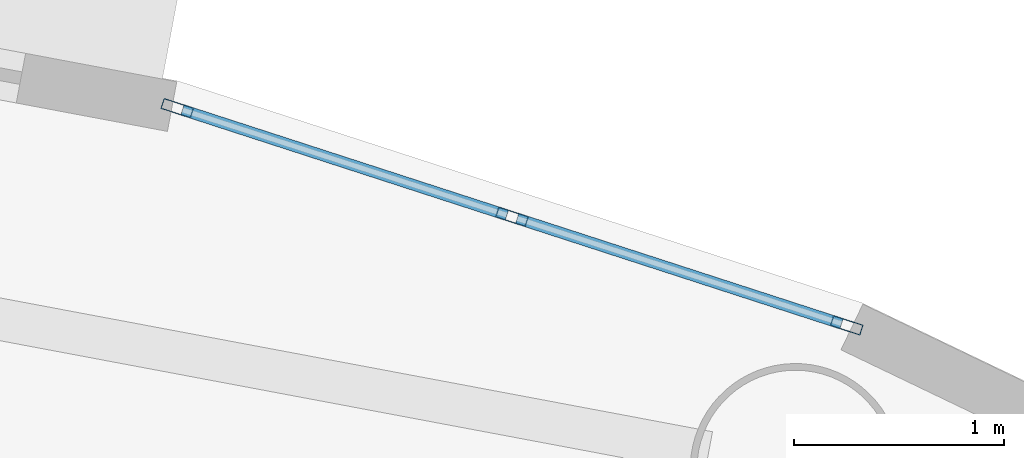
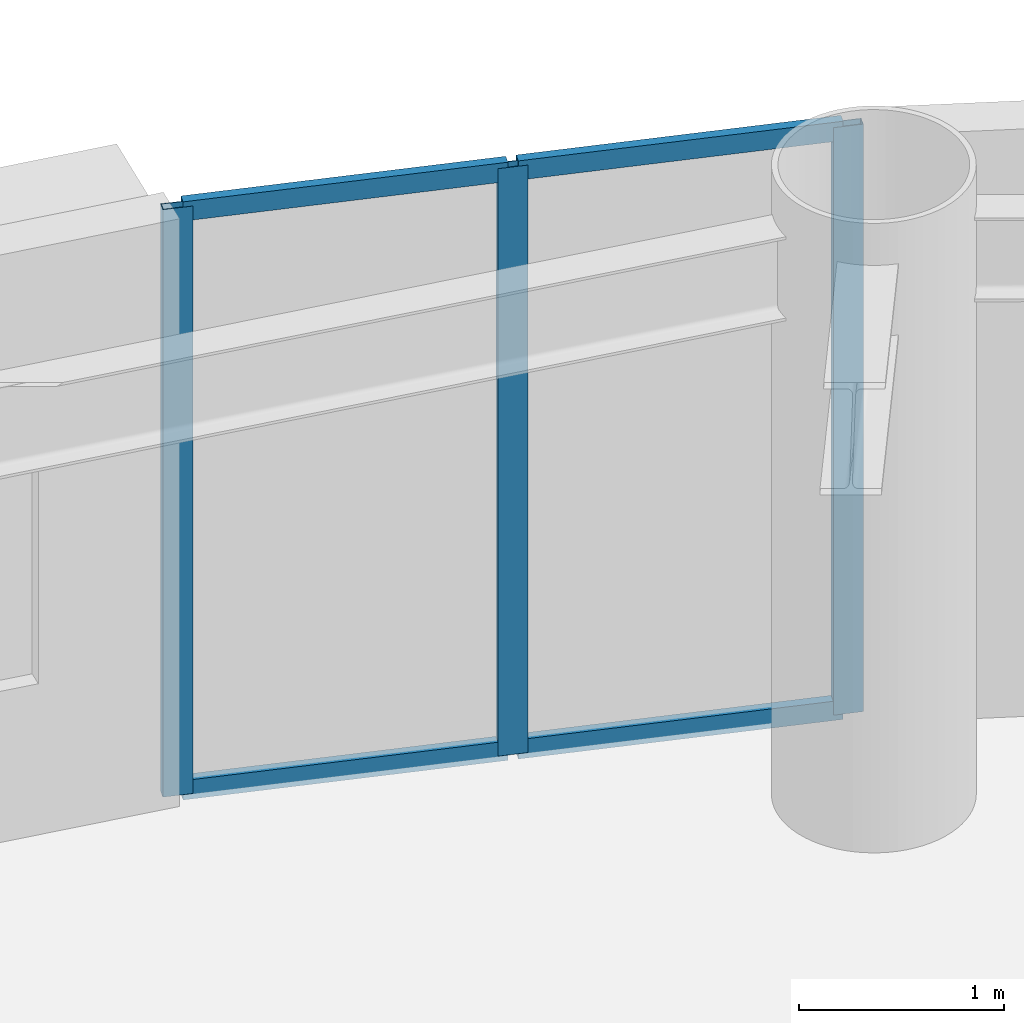
# One storey, part 4 of 17: 7 members, 1 element without a shape of its own.
"""IFC4 building model written with IfcOpenShell, lengths in metres."""

from ifc_helpers import new_model, si_unit, direction, frame, origin, origin_2d, place, context, subcontext, project, spatial, hollow_rectangle, extrude, source, transform, mapped, material, layer, layer_set, material_profile, profile_set, type_object, element, aggregate, save


model = new_model("IFC4")

# Units and contexts
model_context = context("Model", 3, precision=1e-05, world=origin(), true_north=direction((0.0, 1.0)))
body_context = subcontext(model_context, "Body", "Model", "MODEL_VIEW")
ifc_project = project(units=[si_unit("LENGTHUNIT", "METRE"), si_unit("AREAUNIT", "SQUARE_METRE"), si_unit("VOLUMEUNIT", "CUBIC_METRE"), si_unit("PLANEANGLEUNIT", "RADIAN"), si_unit("MASSUNIT", "GRAM", prefix="KILO")], contexts=[model_context])

# Site, building, storey
site_placement = place(None, origin())
site = spatial("IfcSite", under=ifc_project, at=site_placement, CompositionType="ELEMENT")
building_placement = place(site_placement, origin())
building = spatial("IfcBuilding", under=site, at=building_placement, Name="Linh Dai School and Residence Tower", CompositionType="ELEMENT")
storey_placement = place(building_placement, frame((0.0, 0.0, 276.75)))
storey = spatial("IfcBuildingStorey", under=building, at=storey_placement, Name="L68", CompositionType="ELEMENT", Elevation=276.75)

# Curtain wall, members
ifc_material_1 = material(Name="Aluminium Anodised Curtain Wall", Category="aluminium")
ifc_layer = layer(ifc_material_1, 0.14990234375)
ifc_layer_set = layer_set([ifc_layer], Name="Aluminium Anodised Curtain Wall")
curtain_wall_type = type_object("IfcCurtainWallType", Name="CW-SYS-4", PredefinedType="USERDEFINED", material=ifc_layer_set)
curtain_wall_placement = place(storey_placement, origin())
curtain_wall = element("IfcCurtainWall", 1, at=curtain_wall_placement, inside=storey, type_object=curtain_wall_type, Name="L68 CW4 Curtain Wall 08", ObjectType="RIBBON CURTAIN WALL", PredefinedType="USERDEFINED")
ifc_material_2 = material(Name="Aluminium Alloy 6063-T6", Category="aluminium")
ifc_material_profile_1 = material_profile(ifc_material_2, hollow_rectangle(XDim=0.052001953125, YDim=0.14990234375, WallThickness=0.00390625, at=origin_2d()), Name="RHS 150x52x4")
ifc_profile_set_1 = profile_set([ifc_material_profile_1], Name="Aluminium Alloy 6063-T6")
member_type_1 = type_object("IfcMemberType", Name="CW-SYS-4-MUL", PredefinedType="MULLION", material=ifc_profile_set_1)
shared_shape_1 = source(origin(), body_context, "Body", "SweptSolid", [
    extrude(hollow_rectangle(XDim=0.052001953125, YDim=0.14990234375, WallThickness=0.00390625, at=origin_2d()), origin(), (0.0, 0.0, 1.0), 3.5),
])
member_1_placement = place(storey_placement, frame((42.915771484375, 43.552490234375, 0.0), z_axis=(0.0, 0.0, 1.0), x_axis=(0.308518805176, 0.951218243545, 0.0)))
member_1 = element("IfcMember", 2, at=member_1_placement, type_object=member_type_1, Name="CW4 mullion 1", PredefinedType="MULLION", context=body_context, shape_type="MappedRepresentation", body=[
    mapped(shared_shape_1, transform((0.0, 0.0, 0.0), x_axis=(1.0, 0.0, 0.0), y_axis=(0.0, 1.0, 0.0), z_axis=(0.0, 0.0, 1.0), scale=1.0)),
])
member_2_placement = place(storey_placement, frame((44.507080078125, 43.036376953125, 0.0), z_axis=(0.0, 0.0, 1.0), x_axis=(0.308518805176, 0.951218243545, 0.0)))
member_2 = element("IfcMember", 3, at=member_2_placement, type_object=member_type_1, Name="CW4 mullion 2", PredefinedType="MULLION", context=body_context, shape_type="MappedRepresentation", body=[
    mapped(shared_shape_1, transform((0.0, 0.0, 0.0), x_axis=(1.0, 0.0, 0.0), y_axis=(0.0, 1.0, 0.0), z_axis=(0.0, 0.0, 1.0), scale=1.0)),
])
member_3_placement = place(storey_placement, frame((46.098388671875, 42.520263671875, 0.0), z_axis=(0.0, 0.0, 1.0), x_axis=(0.308518805176, 0.951218243545, 0.0)))
member_3 = element("IfcMember", 4, at=member_3_placement, type_object=member_type_1, Name="CW4 mullion 3", PredefinedType="MULLION", context=body_context, shape_type="MappedRepresentation", body=[
    mapped(shared_shape_1, transform((0.0, 0.0, 0.0), x_axis=(1.0, 0.0, 0.0), y_axis=(0.0, 1.0, 0.0), z_axis=(0.0, 0.0, 1.0), scale=1.0)),
])
ifc_material_profile_2 = material_profile(ifc_material_2, hollow_rectangle(XDim=0.052001953125, YDim=0.114990234375, WallThickness=0.00390625, at=origin_2d()), Name="RHS 115x52x4")
ifc_profile_set_2 = profile_set([ifc_material_profile_2], Name="Aluminium Alloy 6063-T6")
member_type_2 = type_object("IfcMemberType", Name="CW-SYS-4-TRN", PredefinedType="USERDEFINED", material=ifc_profile_set_2)
shared_shape_2 = source(origin(), body_context, "Body", "SweptSolid", [
    extrude(hollow_rectangle(XDim=0.052001953125, YDim=0.114990234375, WallThickness=0.00390625, at=origin_2d()), origin(), (0.0, 0.0, 1.0), 1.620849609375),
])
member_4_placement = place(storey_placement, frame((42.940673828125, 43.54443359375, 0.02587890625), z_axis=(0.95118338841, -0.308626249066, 0.0), x_axis=(0.308626249066, 0.95118338841, 0.0)))
member_4 = element("IfcMember", 5, at=member_4_placement, type_object=member_type_2, Name="CW4 transom 1.1", ObjectType="TRANSOM", PredefinedType="USERDEFINED", context=body_context, shape_type="MappedRepresentation", body=[
    mapped(shared_shape_2, transform((0.0, 0.0, 0.0), x_axis=(1.0, 0.0, 0.0), y_axis=(0.0, 1.0, 0.0), z_axis=(0.0, 0.0, 1.0), scale=1.0)),
])
member_5_placement = place(storey_placement, frame((42.940673828125, 43.54443359375, 3.47412109375), z_axis=(0.95118338841, -0.308626249066, 0.0), x_axis=(0.308626249066, 0.95118338841, 0.0)))
member_5 = element("IfcMember", 6, at=member_5_placement, type_object=member_type_2, Name="CW4 transom 1.2", ObjectType="TRANSOM", PredefinedType="USERDEFINED", context=body_context, shape_type="MappedRepresentation", body=[
    mapped(shared_shape_2, transform((0.0, 0.0, 0.0), x_axis=(1.0, 0.0, 0.0), y_axis=(0.0, 1.0, 0.0), z_axis=(0.0, 0.0, 1.0), scale=1.0)),
])
member_6_placement = place(storey_placement, frame((44.53173828125, 43.0283203125, 0.02587890625), z_axis=(0.95118338841, -0.308626249066, 0.0), x_axis=(0.308626249066, 0.95118338841, 0.0)))
member_6 = element("IfcMember", 7, at=member_6_placement, type_object=member_type_2, Name="CW4 transom 2.1", ObjectType="TRANSOM", PredefinedType="USERDEFINED", context=body_context, shape_type="MappedRepresentation", body=[
    mapped(shared_shape_2, transform((0.0, 0.0, 0.0), x_axis=(1.0, 0.0, 0.0), y_axis=(0.0, 1.0, 0.0), z_axis=(0.0, 0.0, 1.0), scale=1.0)),
])
member_7_placement = place(storey_placement, frame((44.53173828125, 43.0283203125, 3.47412109375), z_axis=(0.95118338841, -0.308626249066, 0.0), x_axis=(0.308626249066, 0.95118338841, 0.0)))
member_7 = element("IfcMember", 8, at=member_7_placement, type_object=member_type_2, Name="CW4 transom 2.2", ObjectType="TRANSOM", PredefinedType="USERDEFINED", context=body_context, shape_type="MappedRepresentation", body=[
    mapped(shared_shape_2, transform((0.0, 0.0, 0.0), x_axis=(1.0, 0.0, 0.0), y_axis=(0.0, 1.0, 0.0), z_axis=(0.0, 0.0, 1.0), scale=1.0)),
])
aggregate(curtain_wall, [member_1, member_2, member_3, member_4, member_5, member_6, member_7])

save(model, "model.ifc")
